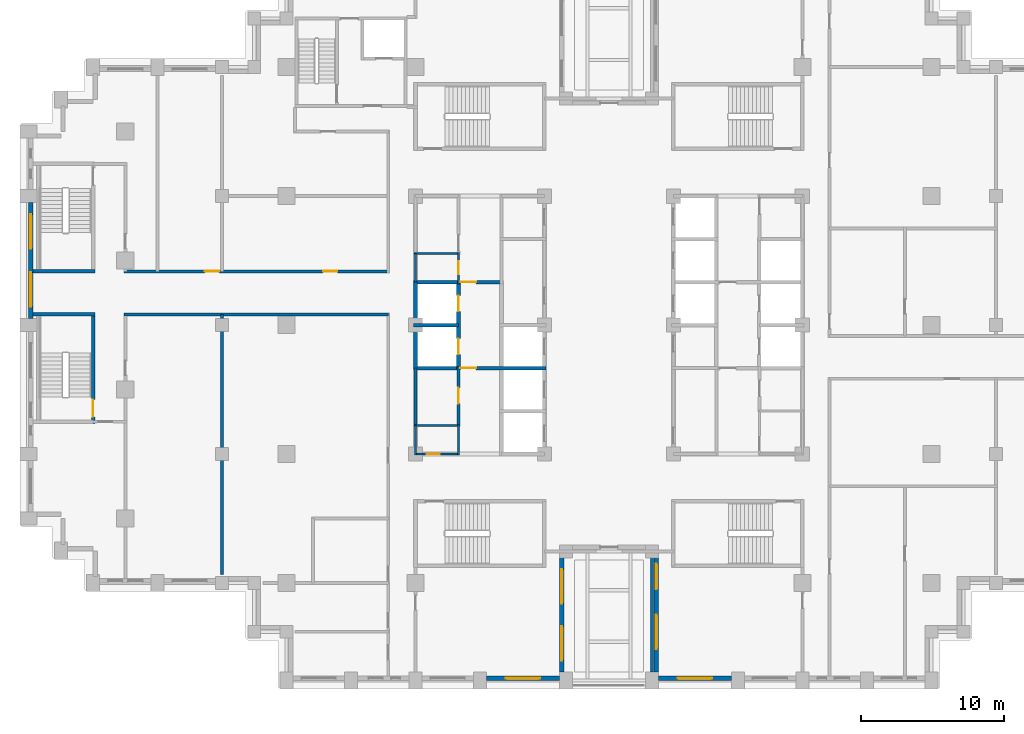
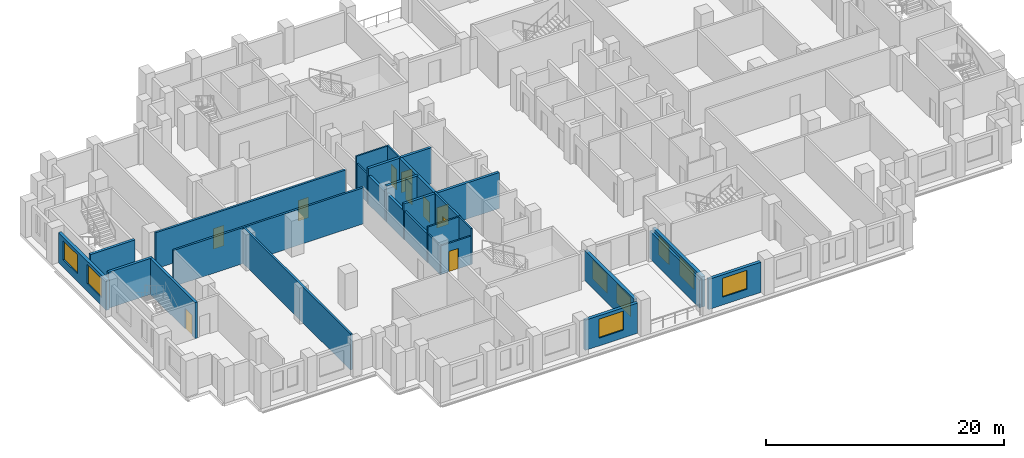
# One storey, part 4 of 13: 26 walls, 10 doors, 8 windows, 18 openings.
"""IFC4 building model written with IfcOpenShell, lengths in metres."""

import ifcopenshell
import ifcopenshell.guid

model = None  # the IFC model being written
_history = None  # IfcOwnerHistory: only IFC2X3 demands one
_inside = {}  # id of a spatial element -> (the spatial element, [elements in it])
_under = {}  # id of a project, library or spatial element -> (it, [spatial elements below it])
_declared = {}  # id of a project -> (the project, [libraries it declares])
_typed = {}  # id of a type object -> (the type object, [elements of that type])
_made_of = {}  # id of a material, layer set ... -> (it, [elements and type objects made of it])


def new_model(schema):
    """Start an empty IFC model of exactly this schema.

    Asked for "IFC4X3", IfcOpenShell would pick the latest addendum, in which some entities
    have other attributes; the version numbers below select the first issue.
    IFC2X3 requires an IfcOwnerHistory on every rooted entity: one is made here for all.
    """
    global model, _history
    if schema == "IFC4X3":
        model = ifcopenshell.file(schema_version=(4, 3, 0, 0))
    else:
        model = ifcopenshell.file(schema=schema)
    _inside.clear()
    _under.clear()
    _declared.clear()
    _typed.clear()
    _made_of.clear()
    _history = None
    if model.schema == "IFC2X3":
        org = make("IfcOrganization", Name="unknown")
        user = make(
            "IfcPersonAndOrganization",
            ThePerson=make("IfcPerson", FamilyName="unknown"),
            TheOrganization=org,
        )
        app = make(
            "IfcApplication",
            ApplicationDeveloper=org,
            Version="unknown",
            ApplicationFullName="unknown",
            ApplicationIdentifier="unknown",
        )
        _history = make(
            "IfcOwnerHistory",
            OwningUser=user,
            OwningApplication=app,
            ChangeAction="ADDED",
            CreationDate=0,
        )
    return model


def make(cls, **values):
    """One entity of the class cls with the attributes given. An attribute that is None is left unset."""
    return model.create_entity(
        cls, **{name: value for name, value in values.items() if value is not None}
    )


def rooted(cls, **values):
    """An entity with a GlobalId (a new one), such as an element, a storey or a relation."""
    return make(cls, GlobalId=ifcopenshell.guid.new(), OwnerHistory=_history, **values)


def si_unit(unit_type, name, prefix=None):
    """IfcSIUnit, for example si_unit("LENGTHUNIT", "METRE", prefix="MILLI")."""
    return make("IfcSIUnit", UnitType=unit_type, Prefix=prefix, Name=name)


def assignment(units):
    """IfcUnitAssignment: the units of a project."""
    return None if units is None else make("IfcUnitAssignment", Units=units)


def point(xyz):
    """IfcCartesianPoint."""
    return None if xyz is None else make("IfcCartesianPoint", Coordinates=xyz)


def direction(xyz):
    """IfcDirection."""
    return None if xyz is None else make("IfcDirection", DirectionRatios=xyz)


def frame(location, z_axis=None, x_axis=None):
    """IfcAxis2Placement3D, a coordinate frame: its origin and axes. An axis left out is left unset."""
    return make(
        "IfcAxis2Placement3D",
        Location=point(location),
        Axis=direction(z_axis),
        RefDirection=direction(x_axis),
    )


def frame_2d(location, x_axis=None):
    """IfcAxis2Placement2D, a coordinate frame in the plane: its origin and x axis."""
    return make(
        "IfcAxis2Placement2D", Location=point(location), RefDirection=direction(x_axis)
    )


def origin():
    """The frame at (0, 0, 0) with its axes left unset."""
    return frame((0.0, 0.0, 0.0))


def place(relative_to, where):
    """IfcLocalPlacement: puts the frame where relative to a parent placement (None: the world)."""
    return make(
        "IfcLocalPlacement", PlacementRelTo=relative_to, RelativePlacement=where
    )


def context(
    kind, dimensions, precision=None, world=None, true_north=None, identifier=None
):
    """IfcGeometricRepresentationContext, for example the 3D "Model" context."""
    return make(
        "IfcGeometricRepresentationContext",
        ContextIdentifier=identifier,
        ContextType=kind,
        CoordinateSpaceDimension=dimensions,
        Precision=precision,
        WorldCoordinateSystem=world,
        TrueNorth=true_north,
    )


def subcontext(parent, identifier, kind, view, scale=None):
    """IfcGeometricRepresentationSubContext, for example "Body" below "Model"."""
    return make(
        "IfcGeometricRepresentationSubContext",
        ContextIdentifier=identifier,
        ContextType=kind,
        ParentContext=parent,
        TargetScale=scale,
        TargetView=view,
    )


def project(units=None, contexts=None):
    """IfcProject with its units and contexts."""
    return rooted(
        "IfcProject",
        Name="project",
        RepresentationContexts=contexts,
        UnitsInContext=assignment(units),
    )


def spatial(cls, under=None, at=None, **own):
    """A site, building, storey or space (cls), placed at a placement, below another one or the project."""
    s = rooted(cls, ObjectPlacement=at, **own)
    if under is not None:
        _under.setdefault(under.id(), (under, []))[1].append(s)
    return s


def profile(cls, at=None, kind="AREA", **sizes):
    """A parametric profile (cls). Its sizes go by their IFC names, for example OverallWidth=200.0."""
    return make(cls, ProfileType=kind, Position=at, **sizes)


def rectangle(**sizes):
    """IfcRectangleProfileDef."""
    return profile("IfcRectangleProfileDef", **sizes)


def extrude(swept, where, along, depth):
    """IfcExtrudedAreaSolid: the profile swept, set in the frame where, extruded along a direction by depth."""
    return make(
        "IfcExtrudedAreaSolid",
        SweptArea=swept,
        Position=where,
        ExtrudedDirection=direction(along),
        Depth=depth,
    )


def shape(context_of_items, identifier, shape_type, items):
    """IfcShapeRepresentation: the items that make up one representation, for example the "Body"."""
    return make(
        "IfcShapeRepresentation",
        ContextOfItems=context_of_items,
        RepresentationIdentifier=identifier,
        RepresentationType=shape_type,
        Items=items,
    )


def material(Name=None, Category=None):
    """IfcMaterial."""
    return make("IfcMaterial", Name=Name, Category=Category)


def layer(
    of_material, thickness, ventilated=None, Name=None, Category=None, Priority=None
):
    """IfcMaterialLayer: one layer of a wall or slab, of a material (None: an air gap)."""
    return make(
        "IfcMaterialLayer",
        Material=of_material,
        LayerThickness=thickness,
        IsVentilated=ventilated,
        Name=Name,
        Category=Category,
        Priority=Priority,
    )


def layer_set(layers, Name=None):
    """IfcMaterialLayerSet."""
    return make("IfcMaterialLayerSet", MaterialLayers=layers, LayerSetName=Name)


def made_of(thing, what):
    """Note that an element or type object is made of a material, layer set ...; save() writes the relation."""
    if what is not None:
        _made_of.setdefault(what.id(), (what, []))[1].append(thing)
    return thing


def type_object(cls, material=None, **own):
    """A type object (cls), such as IfcWallType, which elements share."""
    return made_of(rooted(cls, **own), material)


def element(
    cls,
    number,
    at=None,
    inside=None,
    cuts=None,
    type_object=None,
    material=None,
    context=None,
    identifier="Body",
    shape_type=None,
    held_by="IfcProductDefinitionShape",
    body=None,
    shapes=None,
    **own,
):
    """One element of the class cls, such as IfcWall. Its Tag is "e" and its number.

    at: its placement. inside: the storey or other place that contains it. cuts: it is an
    opening in that element (IfcRelVoidsElement). A single representation is given by context,
    identifier, shape_type and body (its items); several are given by shapes. held_by: the class
    of the entity that holds the representations. save() writes the other relations.
    """
    e = rooted(cls, Tag="e%d" % number, ObjectPlacement=at, **own)
    if body is not None:
        shapes = [shape(context, identifier, shape_type, body)]
    if shapes is not None:
        e.Representation = make(held_by, Representations=shapes)
    if inside is not None:
        _inside.setdefault(inside.id(), (inside, []))[1].append(e)
    if cuts is not None:
        rooted(
            "IfcRelVoidsElement", RelatingBuildingElement=cuts, RelatedOpeningElement=e
        )
    if type_object is not None:
        _typed.setdefault(type_object.id(), (type_object, []))[1].append(e)
    return made_of(e, material)


def fill(opening, filler):
    """IfcRelFillsElement: the door or window that sits in an opening."""
    return rooted(
        "IfcRelFillsElement",
        RelatingOpeningElement=opening,
        RelatedBuildingElement=filler,
    )


def aggregate(whole, parts):
    """IfcRelAggregates: a whole, such as a stair, and the parts it consists of."""
    return rooted("IfcRelAggregates", RelatingObject=whole, RelatedObjects=parts)


def save(model, path):
    """Write the relations noted so far, then the file.

    IfcRelAggregates (storeys below a building ...), IfcRelContainedInSpatialStructure (elements
    in a storey), IfcRelDefinesByType, IfcRelAssociatesMaterial and IfcRelDeclares: one each for
    every whole, place, type object, material and project.
    """
    for whole, parts in _under.values():
        aggregate(whole, parts)
    for where, things in _inside.values():
        rooted(
            "IfcRelContainedInSpatialStructure",
            RelatedElements=things,
            RelatingStructure=where,
        )
    for kind, things in _typed.values():
        rooted("IfcRelDefinesByType", RelatedObjects=things, RelatingType=kind)
    for what, things in _made_of.values():
        rooted("IfcRelAssociatesMaterial", RelatedObjects=things, RelatingMaterial=what)
    for by, libraries in _declared.values():
        rooted("IfcRelDeclares", RelatingContext=by, RelatedDefinitions=libraries)
    model.write(path)


model = new_model("IFC4")

# Units and contexts
model_context = context("Model", 3, precision=1e-05, world=origin(), true_north=direction((0.0, 1.0)))
body_context = subcontext(model_context, "Body", "Model", "MODEL_VIEW")
ifc_project = project(units=[si_unit("LENGTHUNIT", "METRE"), si_unit("AREAUNIT", "SQUARE_METRE"), si_unit("VOLUMEUNIT", "CUBIC_METRE"), si_unit("PLANEANGLEUNIT", "RADIAN"), si_unit("MASSUNIT", "GRAM", prefix="KILO")], contexts=[model_context])

# Site, building, storey
site_placement = place(None, origin())
site = spatial("IfcSite", under=ifc_project, at=site_placement, CompositionType="ELEMENT")
building_placement = place(site_placement, origin())
building = spatial("IfcBuilding", under=site, at=building_placement, Name="Corbelhall Arena Tower", CompositionType="ELEMENT")
storey_placement = place(building_placement, frame((0.0, 0.0, 68.0)))
storey = spatial("IfcBuildingStorey", under=building, at=storey_placement, Name="L09", CompositionType="ELEMENT", Elevation=68.0)

# Wall, openings, windows
ifc_material_1 = material(Name="Precast concrete C40/50 with granite facing", Category="masonry")
ifc_layer_1 = layer(ifc_material_1, 0.300048828125)
ifc_layer_set_1 = layer_set([ifc_layer_1], Name="EV-IW1 Infill panel 300")
wall_type_1 = type_object("IfcWallType", Name="EV-IW1 Infill panel 300", PredefinedType="SOLIDWALL", material=ifc_layer_set_1)
wall_1_placement = place(storey_placement, frame((-40.35009765625, 8.550048828125, 0.0), z_axis=(0.0, 0.0, 1.0), x_axis=(0.0, -1.0, 0.0)))
wall_1 = element("IfcWall", 1, at=wall_1_placement, inside=storey, type_object=wall_type_1, Name="Infill panel IW1", PredefinedType="SOLIDWALL", context=body_context, shape_type="SweptSolid", body=[
    extrude(rectangle(XDim=8.10009765625, YDim=0.300048828125, at=frame_2d((4.050048828125, 0.0))), origin(), (0.0, 0.0, 1.0), 3.10009765625),
])
opening_1_placement = place(wall_1_placement, frame((0.824951171875, 0.0, 0.800048828125)))
opening_1 = element("IfcOpeningElement", 2, at=opening_1_placement, cuts=wall_1, Name="Opening WN1", PredefinedType="OPENING", context=body_context, shape_type="SweptSolid", body=[
    extrude(rectangle(XDim=2.39990234375, YDim=1.949951171875, at=frame_2d((1.199951171875, 0.97509765625))), frame((0.0, 0.14990234375, 0.0), z_axis=(0.0, -1.0, 0.0), x_axis=(1.0, 0.0, 0.0)), (0.0, 0.0, 1.0), 0.300048828125),
])
opening_2_placement = place(wall_1_placement, frame((4.875, 0.0, 0.800048828125)))
opening_2 = element("IfcOpeningElement", 3, at=opening_2_placement, cuts=wall_1, Name="Opening WN1", PredefinedType="OPENING", context=body_context, shape_type="SweptSolid", body=[
    extrude(rectangle(XDim=2.39990234375, YDim=1.949951171875, at=frame_2d((1.199951171875, 0.97509765625))), frame((0.0, 0.14990234375, 0.0), z_axis=(0.0, -1.0, 0.0), x_axis=(1.0, 0.0, 0.0)), (0.0, 0.0, 1.0), 0.300048828125),
])
ifc_material_2 = material(Name="Aluminium black anodised", Category="aluminium")
window_type_1 = type_object("IfcWindowType", Name="EV-WN1 Office window", PartitioningType="SINGLE_PANEL", PredefinedType="WINDOW", material=ifc_material_2)
window_1_placement = place(opening_1_placement, origin())
window_1 = element("IfcWindow", 4, at=window_1_placement, inside=storey, type_object=window_type_1, Name="Window WN1", OverallHeight=1.949951171875, OverallWidth=2.39990234375, PartitioningType="SINGLE_PANEL", PredefinedType="WINDOW", context=body_context, shape_type="SweptSolid", body=[
    extrude(rectangle(XDim=2.39990234375, YDim=1.949951171875, at=frame_2d((1.199951171875, 0.97509765625))), frame((0.0, 0.030029296875, 0.0), z_axis=(0.0, -1.0, 0.0), x_axis=(1.0, 0.0, 0.0)), (0.0, 0.0, 1.0), 0.06005859375),
])
fill(opening_1, window_1)
window_2_placement = place(opening_2_placement, origin())
window_2 = element("IfcWindow", 5, at=window_2_placement, inside=storey, type_object=window_type_1, Name="Window WN1", OverallHeight=1.949951171875, OverallWidth=2.39990234375, PartitioningType="SINGLE_PANEL", PredefinedType="WINDOW", context=body_context, shape_type="SweptSolid", body=[
    extrude(rectangle(XDim=2.39990234375, YDim=1.949951171875, at=frame_2d((1.199951171875, 0.97509765625))), frame((0.0, 0.030029296875, 0.0), z_axis=(0.0, -1.0, 0.0), x_axis=(1.0, 0.0, 0.0)), (0.0, 0.0, 1.0), 0.06005859375),
])
fill(opening_2, window_2)

# Wall, opening, window
wall_2_placement = place(storey_placement, frame((-8.550048828125, -24.64990234375, 0.0), z_axis=(0.0, 0.0, 1.0), x_axis=(1.0, 0.0, 0.0)))
wall_2 = element("IfcWall", 6, at=wall_2_placement, inside=storey, type_object=wall_type_1, Name="Infill panel IW1", PredefinedType="SOLIDWALL", context=body_context, shape_type="SweptSolid", body=[
    extrude(rectangle(XDim=5.10009765625, YDim=0.300048828125, at=frame_2d((2.550048828125, 0.0))), origin(), (0.0, 0.0, 1.0), 3.10009765625),
])
opening_3_placement = place(wall_2_placement, frame((1.35009765625, 0.0, 0.800048828125)))
opening_3 = element("IfcOpeningElement", 7, at=opening_3_placement, cuts=wall_2, Name="Opening WN1", PredefinedType="OPENING", context=body_context, shape_type="SweptSolid", body=[
    extrude(rectangle(XDim=2.39990234375, YDim=1.949951171875, at=frame_2d((1.199951171875, 0.97509765625))), frame((0.0, 0.14990234375, 0.0), z_axis=(0.0, -1.0, 0.0), x_axis=(1.0, 0.0, 0.0)), (0.0, 0.0, 1.0), 0.300048828125),
])
window_3_placement = place(opening_3_placement, origin())
window_3 = element("IfcWindow", 8, at=window_3_placement, inside=storey, type_object=window_type_1, Name="Window WN1", OverallHeight=1.949951171875, OverallWidth=2.39990234375, PartitioningType="SINGLE_PANEL", PredefinedType="WINDOW", context=body_context, shape_type="SweptSolid", body=[
    extrude(rectangle(XDim=2.39990234375, YDim=1.949951171875, at=frame_2d((1.199951171875, 0.97509765625))), frame((0.0, 0.030029296875, 0.0), z_axis=(0.0, -1.0, 0.0), x_axis=(1.0, 0.0, 0.0)), (0.0, 0.0, 1.0), 0.06005859375),
])
fill(opening_3, window_3)

# Wall, openings, windows
wall_3_placement = place(storey_placement, frame((-3.300048828125, -24.199951171875, 0.0), z_axis=(0.0, 0.0, 1.0), x_axis=(0.0, 1.0, 0.0)))
wall_3 = element("IfcWall", 9, at=wall_3_placement, inside=storey, type_object=wall_type_1, Name="Infill panel IW1", PredefinedType="SOLIDWALL", context=body_context, shape_type="SweptSolid", body=[
    extrude(rectangle(XDim=8.349853515625, YDim=0.300048828125, at=frame_2d((4.1748046875, 0.0))), origin(), (0.0, 0.0, 1.0), 3.10009765625),
])
opening_4_placement = place(wall_3_placement, frame((0.78759765625, 0.0, 0.800048828125)))
opening_4 = element("IfcOpeningElement", 10, at=opening_4_placement, cuts=wall_3, Name="Opening WN1", PredefinedType="OPENING", context=body_context, shape_type="SweptSolid", body=[
    extrude(rectangle(XDim=2.39990234375, YDim=1.949951171875, at=frame_2d((1.199951171875, 0.97509765625))), frame((0.0, 0.14990234375, 0.0), z_axis=(0.0, -1.0, 0.0), x_axis=(1.0, 0.0, 0.0)), (0.0, 0.0, 1.0), 0.300048828125),
])
opening_5_placement = place(wall_3_placement, frame((4.762451171875, 0.0, 0.800048828125)))
opening_5 = element("IfcOpeningElement", 11, at=opening_5_placement, cuts=wall_3, Name="Opening WN1", PredefinedType="OPENING", context=body_context, shape_type="SweptSolid", body=[
    extrude(rectangle(XDim=2.39990234375, YDim=1.949951171875, at=frame_2d((1.199951171875, 0.97509765625))), frame((0.0, 0.14990234375, 0.0), z_axis=(0.0, -1.0, 0.0), x_axis=(1.0, 0.0, 0.0)), (0.0, 0.0, 1.0), 0.300048828125),
])
window_4_placement = place(opening_4_placement, origin())
window_4 = element("IfcWindow", 12, at=window_4_placement, inside=storey, type_object=window_type_1, Name="Window WN1", OverallHeight=1.949951171875, OverallWidth=2.39990234375, PartitioningType="SINGLE_PANEL", PredefinedType="WINDOW", context=body_context, shape_type="SweptSolid", body=[
    extrude(rectangle(XDim=2.39990234375, YDim=1.949951171875, at=frame_2d((1.199951171875, 0.97509765625))), frame((0.0, 0.030029296875, 0.0), z_axis=(0.0, -1.0, 0.0), x_axis=(1.0, 0.0, 0.0)), (0.0, 0.0, 1.0), 0.06005859375),
])
fill(opening_4, window_4)
window_5_placement = place(opening_5_placement, origin())
window_5 = element("IfcWindow", 13, at=window_5_placement, inside=storey, type_object=window_type_1, Name="Window WN1", OverallHeight=1.949951171875, OverallWidth=2.39990234375, PartitioningType="SINGLE_PANEL", PredefinedType="WINDOW", context=body_context, shape_type="SweptSolid", body=[
    extrude(rectangle(XDim=2.39990234375, YDim=1.949951171875, at=frame_2d((1.199951171875, 0.97509765625))), frame((0.0, 0.030029296875, 0.0), z_axis=(0.0, -1.0, 0.0), x_axis=(1.0, 0.0, 0.0)), (0.0, 0.0, 1.0), 0.06005859375),
])
fill(opening_5, window_5)

wall_4_placement = place(storey_placement, frame((3.300048828125, -15.85009765625, 0.0), z_axis=(0.0, 0.0, 1.0), x_axis=(0.0, -1.0, 0.0)))
wall_4 = element("IfcWall", 14, at=wall_4_placement, inside=storey, type_object=wall_type_1, Name="Infill panel IW1", PredefinedType="SOLIDWALL", context=body_context, shape_type="SweptSolid", body=[
    extrude(rectangle(XDim=8.349853515625, YDim=0.300048828125, at=frame_2d((4.1748046875, 0.0))), origin(), (0.0, 0.0, 1.0), 3.10009765625),
])
opening_6_placement = place(wall_4_placement, frame((4.362548828125, 0.0, 0.800048828125)))
opening_6 = element("IfcOpeningElement", 15, at=opening_6_placement, cuts=wall_4, Name="Opening WN1", PredefinedType="OPENING", context=body_context, shape_type="SweptSolid", body=[
    extrude(rectangle(XDim=2.39990234375, YDim=1.949951171875, at=frame_2d((1.199951171875, 0.97509765625))), frame((0.0, 0.14990234375, 0.0), z_axis=(0.0, -1.0, 0.0), x_axis=(1.0, 0.0, 0.0)), (0.0, 0.0, 1.0), 0.300048828125),
])
opening_7_placement = place(wall_4_placement, frame((0.800048828125, 0.0, 0.800048828125)))
opening_7 = element("IfcOpeningElement", 16, at=opening_7_placement, cuts=wall_4, Name="Opening WN8", PredefinedType="OPENING", context=body_context, shape_type="SweptSolid", body=[
    extrude(rectangle(XDim=1.800048828125, YDim=1.949951171875, at=frame_2d((0.89990234375, 0.97509765625))), frame((0.0, 0.14990234375, 0.0), z_axis=(0.0, -1.0, 0.0), x_axis=(1.0, 0.0, 0.0)), (0.0, 0.0, 1.0), 0.300048828125),
])
window_6_placement = place(opening_6_placement, origin())
window_6 = element("IfcWindow", 17, at=window_6_placement, inside=storey, type_object=window_type_1, Name="Window WN1", OverallHeight=1.949951171875, OverallWidth=2.39990234375, PartitioningType="SINGLE_PANEL", PredefinedType="WINDOW", context=body_context, shape_type="SweptSolid", body=[
    extrude(rectangle(XDim=2.39990234375, YDim=1.949951171875, at=frame_2d((1.199951171875, 0.97509765625))), frame((0.0, 0.030029296875, 0.0), z_axis=(0.0, -1.0, 0.0), x_axis=(1.0, 0.0, 0.0)), (0.0, 0.0, 1.0), 0.06005859375),
])
fill(opening_6, window_6)
window_type_2 = type_object("IfcWindowType", Name="EV-WN8 Office window 1800", PartitioningType="SINGLE_PANEL", PredefinedType="WINDOW", material=ifc_material_2)
window_7_placement = place(opening_7_placement, origin())
window_7 = element("IfcWindow", 18, at=window_7_placement, inside=storey, type_object=window_type_2, Name="Window WN8", OverallHeight=1.949951171875, OverallWidth=1.800048828125, PartitioningType="SINGLE_PANEL", PredefinedType="WINDOW", context=body_context, shape_type="SweptSolid", body=[
    extrude(rectangle(XDim=1.800048828125, YDim=1.949951171875, at=frame_2d((0.89990234375, 0.97509765625))), frame((0.0, 0.030029296875, 0.0), z_axis=(0.0, -1.0, 0.0), x_axis=(1.0, 0.0, 0.0)), (0.0, 0.0, 1.0), 0.06005859375),
])
fill(opening_7, window_7)

# Wall, opening, window
wall_5_placement = place(storey_placement, frame((3.449951171875, -24.64990234375, 0.0), z_axis=(0.0, 0.0, 1.0), x_axis=(1.0, 0.0, 0.0)))
wall_5 = element("IfcWall", 19, at=wall_5_placement, inside=storey, type_object=wall_type_1, Name="Infill panel IW1", PredefinedType="SOLIDWALL", context=body_context, shape_type="SweptSolid", body=[
    extrude(rectangle(XDim=5.10009765625, YDim=0.300048828125, at=frame_2d((2.550048828125, 0.0))), origin(), (0.0, 0.0, 1.0), 3.10009765625),
])
opening_8_placement = place(wall_5_placement, frame((1.35009765625, 0.0, 0.800048828125)))
opening_8 = element("IfcOpeningElement", 20, at=opening_8_placement, cuts=wall_5, Name="Opening WN1", PredefinedType="OPENING", context=body_context, shape_type="SweptSolid", body=[
    extrude(rectangle(XDim=2.39990234375, YDim=1.949951171875, at=frame_2d((1.199951171875, 0.97509765625))), frame((0.0, 0.14990234375, 0.0), z_axis=(0.0, -1.0, 0.0), x_axis=(1.0, 0.0, 0.0)), (0.0, 0.0, 1.0), 0.300048828125),
])
window_8_placement = place(opening_8_placement, origin())
window_8 = element("IfcWindow", 21, at=window_8_placement, inside=storey, type_object=window_type_1, Name="Window WN1", OverallHeight=1.949951171875, OverallWidth=2.39990234375, PartitioningType="SINGLE_PANEL", PredefinedType="WINDOW", context=body_context, shape_type="SweptSolid", body=[
    extrude(rectangle(XDim=2.39990234375, YDim=1.949951171875, at=frame_2d((1.199951171875, 0.97509765625))), frame((0.0, 0.030029296875, 0.0), z_axis=(0.0, -1.0, 0.0), x_axis=(1.0, 0.0, 0.0)), (0.0, 0.0, 1.0), 0.06005859375),
])
fill(opening_8, window_8)

# Wall, openings, doors
ifc_material_3 = material(Name="Gypsum board on steel stud, acoustic", Category="steel")
ifc_layer_2 = layer(ifc_material_3, 0.199951171875)
ifc_layer_set_2 = layer_set([ifc_layer_2], Name="IN-W-DM200")
wall_type_2 = type_object("IfcWallType", Name="IN-W-DM200", PredefinedType="PARTITIONING", material=ifc_layer_set_2)
wall_6_placement = place(storey_placement, frame((-33.85009765625, 3.75, 0.0), z_axis=(0.0, 0.0, 1.0), x_axis=(1.0, 0.0, 0.0)))
wall_6 = element("IfcWall", 22, at=wall_6_placement, inside=storey, type_object=wall_type_2, Name="Partition 002", PredefinedType="PARTITIONING", context=body_context, shape_type="SweptSolid", body=[
    extrude(rectangle(XDim=18.4501953125, YDim=0.199951171875, at=frame_2d((9.22509765625, 0.0))), origin(), (0.0, 0.0, 1.0), 3.699951171875),
])
opening_9_placement = place(wall_6_placement, frame((13.89990234375, 0.0, 0.0)))
opening_9 = element("IfcOpeningElement", 23, at=opening_9_placement, cuts=wall_6, Name="Opening 01027", PredefinedType="OPENING", context=body_context, shape_type="SweptSolid", body=[
    extrude(rectangle(XDim=1.0, YDim=2.10009765625, at=frame_2d((0.5, 1.050048828125))), frame((0.0, 0.10009765625, 0.0), z_axis=(0.0, -1.0, 0.0), x_axis=(1.0, 0.0, 0.0)), (0.0, 0.0, 1.0), 0.199951171875),
])
opening_10_placement = place(wall_6_placement, frame((5.64990234375, 0.0, 0.0)))
opening_10 = element("IfcOpeningElement", 24, at=opening_10_placement, cuts=wall_6, Name="Opening 01041", PredefinedType="OPENING", context=body_context, shape_type="SweptSolid", body=[
    extrude(rectangle(XDim=1.0, YDim=2.10009765625, at=frame_2d((0.5, 1.050048828125))), frame((0.0, 0.10009765625, 0.0), z_axis=(0.0, -1.0, 0.0), x_axis=(1.0, 0.0, 0.0)), (0.0, 0.0, 1.0), 0.199951171875),
])
ifc_material_4 = material(Name="Steel door set", Category="steel")
door_type_1 = type_object("IfcDoorType", Name="IN-D-SW100", OperationType="NOTDEFINED", PredefinedType="DOOR", material=ifc_material_4)
door_1_placement = place(opening_9_placement, origin())
door_1 = element("IfcDoor", 25, at=door_1_placement, inside=storey, type_object=door_type_1, Name="Door 027", OperationType="SINGLE_SWING_RIGHT", OverallHeight=2.10009765625, OverallWidth=1.0, PredefinedType="DOOR", context=body_context, shape_type="SweptSolid", body=[
    extrude(rectangle(XDim=1.0, YDim=2.10009765625, at=frame_2d((0.5, 1.050048828125))), frame((0.0, 0.02490234375, 0.0), z_axis=(0.0, -1.0, 0.0), x_axis=(1.0, 0.0, 0.0)), (0.0, 0.0, 1.0), 0.050048828125),
])
fill(opening_9, door_1)
door_2_placement = place(opening_10_placement, origin())
door_2 = element("IfcDoor", 26, at=door_2_placement, inside=storey, type_object=door_type_1, Name="Door 041", OperationType="SINGLE_SWING_RIGHT", OverallHeight=2.10009765625, OverallWidth=1.0, PredefinedType="DOOR", context=body_context, shape_type="SweptSolid", body=[
    extrude(rectangle(XDim=1.0, YDim=2.10009765625, at=frame_2d((0.5, 1.050048828125))), frame((0.0, 0.02490234375, 0.0), z_axis=(0.0, -1.0, 0.0), x_axis=(1.0, 0.0, 0.0)), (0.0, 0.0, 1.0), 0.050048828125),
])
fill(opening_10, door_2)

# Walls
wall_7_placement = place(storey_placement, frame((-27.0, -17.39990234375, 0.0), z_axis=(0.0, 0.0, 1.0), x_axis=(0.0, 1.0, 0.0)))
element("IfcWall", 27, at=wall_7_placement, inside=storey, type_object=wall_type_2, Name="Partition 008", PredefinedType="PARTITIONING", context=body_context, shape_type="SweptSolid", body=[
    extrude(rectangle(XDim=18.14990234375, YDim=0.199951171875, at=frame_2d((9.074951171875, 0.0))), origin(), (0.0, 0.0, 1.0), 3.699951171875),
])
wall_8_placement = place(storey_placement, frame((-15.39990234375, 0.75, 0.0), z_axis=(0.0, 0.0, 1.0), x_axis=(-1.0, 0.0, 0.0)))
element("IfcWall", 28, at=wall_8_placement, inside=storey, type_object=wall_type_2, Name="Partition 010", PredefinedType="PARTITIONING", context=body_context, shape_type="SweptSolid", body=[
    extrude(rectangle(XDim=18.4501953125, YDim=0.199951171875, at=frame_2d((9.22509765625, 0.0))), origin(), (0.0, 0.0, 1.0), 3.699951171875),
])
ifc_layer_3 = layer(ifc_material_3, 0.199951171875)
ifc_layer_set_3 = layer_set([ifc_layer_3], Name="IN-W-DM200 under beam 846 mm")
wall_type_3 = type_object("IfcWallType", Name="IN-W-DM200 under beam 846 mm", PredefinedType="PARTITIONING", material=ifc_layer_set_3)
wall_9_placement = place(storey_placement, frame((3.0, -15.800048828125, 0.0), z_axis=(0.0, 0.0, 1.0), x_axis=(0.0, -1.0, 0.0)))
element("IfcWall", 29, at=wall_9_placement, inside=storey, type_object=wall_type_3, Name="Partition 026", PredefinedType="PARTITIONING", context=body_context, shape_type="SweptSolid", body=[
    extrude(rectangle(XDim=8.39990234375, YDim=0.199951171875, at=frame_2d((4.199951171875, 0.0))), origin(), (0.0, 0.0, 1.0), 2.854248046875),
])

# Wall, opening, door
ifc_material_5 = material(Name="Concrete block wall", Category="concrete")
ifc_layer_4 = layer(ifc_material_5, 0.199951171875)
ifc_layer_set_4 = layer_set([ifc_layer_4], Name="IN-W-RS200")
wall_type_4 = type_object("IfcWallType", Name="IN-W-RS200", PredefinedType="SOLIDWALL", material=ifc_layer_set_4)
wall_10_placement = place(storey_placement, frame((-10.5, -7.074951171875, 0.0), z_axis=(0.0, 0.0, 1.0), x_axis=(0.0, 1.0, 0.0)))
wall_10 = element("IfcWall", 30, at=wall_10_placement, inside=storey, type_object=wall_type_4, Name="Partition 049", PredefinedType="SOLIDWALL", context=body_context, shape_type="SweptSolid", body=[
    extrude(rectangle(XDim=4.199951171875, YDim=0.199951171875, at=frame_2d((2.10009765625, 0.0))), origin(), (0.0, 0.0, 1.0), 3.699951171875),
])
opening_11_placement = place(wall_10_placement, frame((1.60009765625, 0.0, 0.0)))
opening_11 = element("IfcOpeningElement", 31, at=opening_11_placement, cuts=wall_10, Name="Opening 01006", PredefinedType="OPENING", context=body_context, shape_type="SweptSolid", body=[
    extrude(rectangle(XDim=1.10009765625, YDim=2.10009765625, at=frame_2d((0.550048828125, 1.050048828125))), frame((0.0, 0.10009765625, 0.0), z_axis=(0.0, -1.0, 0.0), x_axis=(1.0, 0.0, 0.0)), (0.0, 0.0, 1.0), 0.199951171875),
])
door_type_2 = type_object("IfcDoorType", Name="IN-D-FD110", OperationType="NOTDEFINED", PredefinedType="DOOR", material=ifc_material_4)
door_3_placement = place(opening_11_placement, origin())
door_3 = element("IfcDoor", 32, at=door_3_placement, inside=storey, type_object=door_type_2, Name="Door 006", OperationType="SINGLE_SWING_LEFT", OverallHeight=2.10009765625, OverallWidth=1.10009765625, PredefinedType="DOOR", context=body_context, shape_type="SweptSolid", body=[
    extrude(rectangle(XDim=1.10009765625, YDim=2.10009765625, at=frame_2d((0.550048828125, 1.050048828125))), frame((0.0, 0.02490234375, 0.0), z_axis=(0.0, -1.0, 0.0), x_axis=(1.0, 0.0, 0.0)), (0.0, 0.0, 1.0), 0.050048828125),
])
fill(opening_11, door_3)

# Walls
ifc_layer_5 = layer(ifc_material_5, 0.199951171875)
ifc_layer_set_5 = layer_set([ifc_layer_5], Name="IN-W-RS200 under beam 762 mm")
wall_type_5 = type_object("IfcWallType", Name="IN-W-RS200 under beam 762 mm", PredefinedType="SOLIDWALL", material=ifc_layer_set_5)
wall_11_placement = place(storey_placement, frame((-13.5, -7.0, 0.0), z_axis=(0.0, 0.0, 1.0), x_axis=(0.0, 1.0, 0.0)))
element("IfcWall", 33, at=wall_11_placement, inside=storey, type_object=wall_type_5, Name="Partition 046", PredefinedType="SOLIDWALL", context=body_context, shape_type="SweptSolid", body=[
    extrude(rectangle(XDim=4.0, YDim=0.199951171875, at=frame_2d((2.0, 0.0))), origin(), (0.0, 0.0, 1.0), 2.93798828125),
])
ifc_material_6 = material(Name="Concrete C40/50", Category="concrete")
ifc_layer_6 = layer(ifc_material_6, 0.25)
ifc_layer_set_6 = layer_set([ifc_layer_6], Name="IN-W-SH250")
wall_type_6 = type_object("IfcWallType", Name="IN-W-SH250", PredefinedType="SOLIDWALL", material=ifc_layer_set_6)
wall_12_placement = place(storey_placement, frame((-13.625, 0.0, 0.0), z_axis=(0.0, 0.0, 1.0), x_axis=(1.0, 0.0, 0.0)))
element("IfcWall", 34, at=wall_12_placement, inside=storey, type_object=wall_type_6, Name="Shaft wall 064", PredefinedType="SOLIDWALL", context=body_context, shape_type="SweptSolid", body=[
    extrude(rectangle(XDim=3.125, YDim=0.25, at=frame_2d((1.5625, 0.0))), origin(), (0.0, 0.0, 1.0), 3.699951171875),
])

# Wall, opening, door
wall_13_placement = place(storey_placement, frame((-13.625, 3.0, 0.0), z_axis=(0.0, 0.0, 1.0), x_axis=(1.0, 0.0, 0.0)))
wall_13 = element("IfcWall", 35, at=wall_13_placement, inside=storey, type_object=wall_type_6, Name="Shaft wall 065", PredefinedType="SOLIDWALL", context=body_context, shape_type="SweptSolid", body=[
    extrude(rectangle(XDim=6.125, YDim=0.25, at=frame_2d((3.0625, 0.0))), origin(), (0.0, 0.0, 1.0), 3.699951171875),
])
opening_12_placement = place(wall_13_placement, frame((3.25, 0.0, 0.0)))
opening_12 = element("IfcOpeningElement", 36, at=opening_12_placement, cuts=wall_13, Name="Opening 01004", PredefinedType="OPENING", context=body_context, shape_type="SweptSolid", body=[
    extrude(rectangle(XDim=1.10009765625, YDim=2.10009765625, at=frame_2d((0.550048828125, 1.050048828125))), frame((0.0, 0.125, 0.0), z_axis=(0.0, -1.0, 0.0), x_axis=(1.0, 0.0, 0.0)), (0.0, 0.0, 1.0), 0.25),
])
door_4_placement = place(opening_12_placement, origin())
door_4 = element("IfcDoor", 37, at=door_4_placement, inside=storey, type_object=door_type_2, Name="Door 004", OperationType="SINGLE_SWING_LEFT", OverallHeight=2.10009765625, OverallWidth=1.10009765625, PredefinedType="DOOR", context=body_context, shape_type="SweptSolid", body=[
    extrude(rectangle(XDim=1.10009765625, YDim=2.10009765625, at=frame_2d((0.550048828125, 1.050048828125))), frame((0.0, 0.02490234375, 0.0), z_axis=(0.0, -1.0, 0.0), x_axis=(1.0, 0.0, 0.0)), (0.0, 0.0, 1.0), 0.050048828125),
])
fill(opening_12, door_4)

wall_14_placement = place(storey_placement, frame((-13.625, -3.0, 0.0), z_axis=(0.0, 0.0, 1.0), x_axis=(1.0, 0.0, 0.0)))
wall_14 = element("IfcWall", 38, at=wall_14_placement, inside=storey, type_object=wall_type_6, Name="Shaft wall 067", PredefinedType="SOLIDWALL", context=body_context, shape_type="SweptSolid", body=[
    extrude(rectangle(XDim=9.25, YDim=0.25, at=frame_2d((4.625, 0.0))), origin(), (0.0, 0.0, 1.0), 3.699951171875),
])
opening_13_placement = place(wall_14_placement, frame((3.25, 0.0, 0.0)))
opening_13 = element("IfcOpeningElement", 39, at=opening_13_placement, cuts=wall_14, Name="Opening 01003", PredefinedType="OPENING", context=body_context, shape_type="SweptSolid", body=[
    extrude(rectangle(XDim=1.10009765625, YDim=2.10009765625, at=frame_2d((0.550048828125, 1.050048828125))), frame((0.0, 0.125, 0.0), z_axis=(0.0, -1.0, 0.0), x_axis=(1.0, 0.0, 0.0)), (0.0, 0.0, 1.0), 0.25),
])
door_5_placement = place(opening_13_placement, origin())
door_5 = element("IfcDoor", 40, at=door_5_placement, inside=storey, type_object=door_type_2, Name="Door 003", OperationType="SINGLE_SWING_RIGHT", OverallHeight=2.10009765625, OverallWidth=1.10009765625, PredefinedType="DOOR", context=body_context, shape_type="SweptSolid", body=[
    extrude(rectangle(XDim=1.10009765625, YDim=2.10009765625, at=frame_2d((0.550048828125, 1.050048828125))), frame((0.0, 0.02490234375, 0.0), z_axis=(0.0, -1.0, 0.0), x_axis=(1.0, 0.0, 0.0)), (0.0, 0.0, 1.0), 0.050048828125),
])
fill(opening_13, door_5)

# Wall, openings, doors
wall_15_placement = place(storey_placement, frame((-10.5, -3.125, 0.0), z_axis=(0.0, 0.0, 1.0), x_axis=(0.0, 1.0, 0.0)))
wall_15 = element("IfcWall", 41, at=wall_15_placement, inside=storey, type_object=wall_type_6, Name="Shaft wall 068", PredefinedType="SOLIDWALL", context=body_context, shape_type="SweptSolid", body=[
    extrude(rectangle(XDim=6.25, YDim=0.25, at=frame_2d((3.125, 0.0))), origin(), (0.0, 0.0, 1.0), 3.699951171875),
])
opening_14_placement = place(wall_15_placement, frame((1.074951171875, 0.0, 0.0)))
opening_14 = element("IfcOpeningElement", 42, at=opening_14_placement, cuts=wall_15, Name="Opening LD", PredefinedType="OPENING", context=body_context, shape_type="SweptSolid", body=[
    extrude(rectangle(XDim=1.10009765625, YDim=2.10009765625, at=frame_2d((0.550048828125, 1.050048828125))), frame((0.0, 0.125, 0.0), z_axis=(0.0, -1.0, 0.0), x_axis=(1.0, 0.0, 0.0)), (0.0, 0.0, 1.0), 0.25),
])
opening_15_placement = place(wall_15_placement, frame((4.074951171875, 0.0, 0.0)))
opening_15 = element("IfcOpeningElement", 43, at=opening_15_placement, cuts=wall_15, Name="Opening LD", PredefinedType="OPENING", context=body_context, shape_type="SweptSolid", body=[
    extrude(rectangle(XDim=1.10009765625, YDim=2.10009765625, at=frame_2d((0.550048828125, 1.050048828125))), frame((0.0, 0.125, 0.0), z_axis=(0.0, -1.0, 0.0), x_axis=(1.0, 0.0, 0.0)), (0.0, 0.0, 1.0), 0.25),
])
door_type_3 = type_object("IfcDoorType", Name="IN-D-LD110", OperationType="NOTDEFINED", PredefinedType="DOOR", material=ifc_material_4)
door_6_placement = place(opening_14_placement, origin())
door_6 = element("IfcDoor", 44, at=door_6_placement, inside=storey, type_object=door_type_3, Name="Landing door W3", OperationType="SLIDING_TO_LEFT", OverallHeight=2.10009765625, OverallWidth=1.10009765625, PredefinedType="DOOR", context=body_context, shape_type="SweptSolid", body=[
    extrude(rectangle(XDim=1.10009765625, YDim=2.10009765625, at=frame_2d((0.550048828125, 1.050048828125))), frame((0.0, 0.02490234375, 0.0), z_axis=(0.0, -1.0, 0.0), x_axis=(1.0, 0.0, 0.0)), (0.0, 0.0, 1.0), 0.050048828125),
])
fill(opening_14, door_6)
door_7_placement = place(opening_15_placement, origin())
door_7 = element("IfcDoor", 45, at=door_7_placement, inside=storey, type_object=door_type_3, Name="Landing door W4", OperationType="SLIDING_TO_LEFT", OverallHeight=2.10009765625, OverallWidth=1.10009765625, PredefinedType="DOOR", context=body_context, shape_type="SweptSolid", body=[
    extrude(rectangle(XDim=1.10009765625, YDim=2.10009765625, at=frame_2d((0.550048828125, 1.050048828125))), frame((0.0, 0.02490234375, 0.0), z_axis=(0.0, -1.0, 0.0), x_axis=(1.0, 0.0, 0.0)), (0.0, 0.0, 1.0), 0.050048828125),
])
fill(opening_15, door_7)

# Walls
ifc_layer_7 = layer(ifc_material_6, 0.25)
ifc_layer_set_7 = layer_set([ifc_layer_7], Name="IN-W-SH250 under beam 762 mm")
wall_type_7 = type_object("IfcWallType", Name="IN-W-SH250 under beam 762 mm", PredefinedType="SOLIDWALL", material=ifc_layer_set_7)
wall_16_placement = place(storey_placement, frame((-13.5, -3.0, 0.0), z_axis=(0.0, 0.0, 1.0), x_axis=(0.0, 1.0, 0.0)))
element("IfcWall", 46, at=wall_16_placement, inside=storey, type_object=wall_type_7, Name="Shaft wall 066", PredefinedType="SOLIDWALL", context=body_context, shape_type="SweptSolid", body=[
    extrude(rectangle(XDim=6.0, YDim=0.25, at=frame_2d((3.0, 0.0))), origin(), (0.0, 0.0, 1.0), 2.93798828125),
])
ifc_layer_8 = layer(ifc_material_6, 0.25)
ifc_layer_set_8 = layer_set([ifc_layer_8], Name="IN-W-ST250")
wall_type_8 = type_object("IfcWallType", Name="IN-W-ST250", PredefinedType="SOLIDWALL", material=ifc_layer_set_8)
wall_17_placement = place(storey_placement, frame((-40.199951171875, 3.75, 0.0), z_axis=(0.0, 0.0, 1.0), x_axis=(1.0, 0.0, 0.0)))
element("IfcWall", 47, at=wall_17_placement, inside=storey, type_object=wall_type_8, Name="Shaft wall 085", PredefinedType="SOLIDWALL", context=body_context, shape_type="SweptSolid", body=[
    extrude(rectangle(XDim=4.324951171875, YDim=0.25, at=frame_2d((2.16259765625, 0.0))), origin(), (0.0, 0.0, 1.0), 3.699951171875),
])

# Wall, opening, door
wall_18_placement = place(storey_placement, frame((-36.0, 0.75, 0.0), z_axis=(0.0, 0.0, 1.0), x_axis=(0.0, -1.0, 0.0)))
wall_18 = element("IfcWall", 48, at=wall_18_placement, inside=storey, type_object=wall_type_8, Name="Shaft wall 088", PredefinedType="SOLIDWALL", context=body_context, shape_type="SweptSolid", body=[
    extrude(rectangle(XDim=7.625, YDim=0.25, at=frame_2d((3.8125, 0.0))), origin(), (0.0, 0.0, 1.0), 3.699951171875),
])
opening_16_placement = place(wall_18_placement, frame((5.949951171875, 0.0, 0.0)))
opening_16 = element("IfcOpeningElement", 49, at=opening_16_placement, cuts=wall_18, Name="Opening 01020", PredefinedType="OPENING", context=body_context, shape_type="SweptSolid", body=[
    extrude(rectangle(XDim=1.199951171875, YDim=2.10009765625, at=frame_2d((0.60009765625, 1.050048828125))), frame((0.0, 0.125, 0.0), z_axis=(0.0, -1.0, 0.0), x_axis=(1.0, 0.0, 0.0)), (0.0, 0.0, 1.0), 0.25),
])
door_type_4 = type_object("IfcDoorType", Name="IN-D-ST120", OperationType="NOTDEFINED", PredefinedType="DOOR", material=ifc_material_4)
door_8_placement = place(opening_16_placement, origin())
door_8 = element("IfcDoor", 50, at=door_8_placement, inside=storey, type_object=door_type_4, Name="Door 020", OperationType="SINGLE_SWING_LEFT", OverallHeight=2.10009765625, OverallWidth=1.199951171875, PredefinedType="DOOR", context=body_context, shape_type="SweptSolid", body=[
    extrude(rectangle(XDim=1.199951171875, YDim=2.10009765625, at=frame_2d((0.60009765625, 1.050048828125))), frame((0.0, 0.02490234375, 0.0), z_axis=(0.0, -1.0, 0.0), x_axis=(1.0, 0.0, 0.0)), (0.0, 0.0, 1.0), 0.050048828125),
])
fill(opening_16, door_8)

# Walls
wall_19_placement = place(storey_placement, frame((-35.875, 0.75, 0.0), z_axis=(0.0, 0.0, 1.0), x_axis=(-1.0, 0.0, 0.0)))
element("IfcWall", 51, at=wall_19_placement, inside=storey, type_object=wall_type_8, Name="Shaft wall 090", PredefinedType="SOLIDWALL", context=body_context, shape_type="SweptSolid", body=[
    extrude(rectangle(XDim=4.324951171875, YDim=0.25, at=frame_2d((2.16259765625, 0.0))), origin(), (0.0, 0.0, 1.0), 3.699951171875),
])
ifc_material_7 = material(Name="Gypsum board on steel stud, moisture resistant", Category="steel")
ifc_layer_9 = layer(ifc_material_7, 0.14990234375)
ifc_layer_set_9 = layer_set([ifc_layer_9], Name="IN-W-WC150")
wall_type_9 = type_object("IfcWallType", Name="IN-W-WC150", PredefinedType="PARTITIONING", material=ifc_layer_set_9)
for number, where, z_axis, x_axis, name in (
    (52, (-13.60009765625, -7.0, 0.0), (0.0, 0.0, 1.0), (1.0, 0.0, 0.0), "Partition 113"),
    (53, (-13.60009765625, 5.0, 0.0), (0.0, 0.0, 1.0), (1.0, 0.0, 0.0), "Partition 114"),
):
    element("IfcWall", number, at=place(storey_placement, frame(where, z_axis=z_axis, x_axis=x_axis)), inside=storey, type_object=wall_type_9, Name=name, PredefinedType="PARTITIONING", context=body_context, shape_type="SweptSolid", body=[
        extrude(rectangle(XDim=3.10009765625, YDim=0.14990234375, at=frame_2d((1.550048828125, 0.0))), origin(), (0.0, 0.0, 1.0), 3.699951171875),
    ])
wall_20_placement = place(storey_placement, frame((-10.5, -9.074951171875, 0.0), z_axis=(0.0, 0.0, 1.0), x_axis=(0.0, 1.0, 0.0)))
element("IfcWall", 54, at=wall_20_placement, inside=storey, type_object=wall_type_9, Name="Partition 117", PredefinedType="PARTITIONING", context=body_context, shape_type="SweptSolid", body=[
    extrude(rectangle(XDim=2.14990234375, YDim=0.14990234375, at=frame_2d((1.074951171875, 0.0))), origin(), (0.0, 0.0, 1.0), 3.699951171875),
])

# Wall, opening, door
wall_21_placement = place(storey_placement, frame((-10.5, 2.875, 0.0), z_axis=(0.0, 0.0, 1.0), x_axis=(0.0, 1.0, 0.0)))
wall_21 = element("IfcWall", 55, at=wall_21_placement, inside=storey, type_object=wall_type_9, Name="Partition 119", PredefinedType="PARTITIONING", context=body_context, shape_type="SweptSolid", body=[
    extrude(rectangle(XDim=2.199951171875, YDim=0.14990234375, at=frame_2d((1.10009765625, 0.0))), origin(), (0.0, 0.0, 1.0), 3.699951171875),
])
opening_17_placement = place(wall_21_placement, frame((0.669921875, 0.0, 0.0)))
opening_17 = element("IfcOpeningElement", 56, at=opening_17_placement, cuts=wall_21, Name="Opening 01047", PredefinedType="OPENING", context=body_context, shape_type="SweptSolid", body=[
    extrude(rectangle(XDim=0.89990234375, YDim=2.10009765625, at=frame_2d((0.449951171875, 1.050048828125))), frame((0.0, 0.074951171875, 0.0), z_axis=(0.0, -1.0, 0.0), x_axis=(1.0, 0.0, 0.0)), (0.0, 0.0, 1.0), 0.14990234375),
])
ifc_material_8 = material(Name="Timber door set", Category="wood")
door_type_5 = type_object("IfcDoorType", Name="IN-D-SW90", OperationType="NOTDEFINED", PredefinedType="DOOR", material=ifc_material_8)
door_9_placement = place(opening_17_placement, origin())
door_9 = element("IfcDoor", 57, at=door_9_placement, inside=storey, type_object=door_type_5, Name="Door 047", OperationType="SINGLE_SWING_LEFT", OverallHeight=2.10009765625, OverallWidth=0.89990234375, PredefinedType="DOOR", context=body_context, shape_type="SweptSolid", body=[
    extrude(rectangle(XDim=0.89990234375, YDim=2.10009765625, at=frame_2d((0.449951171875, 1.050048828125))), frame((0.0, 0.02490234375, 0.0), z_axis=(0.0, -1.0, 0.0), x_axis=(1.0, 0.0, 0.0)), (0.0, 0.0, 1.0), 0.050048828125),
])
fill(opening_17, door_9)

# Walls
ifc_layer_10 = layer(ifc_material_7, 0.14990234375)
ifc_layer_set_10 = layer_set([ifc_layer_10], Name="IN-W-WC150 under beam 762 mm")
wall_type_10 = type_object("IfcWallType", Name="IN-W-WC150 under beam 762 mm", PredefinedType="PARTITIONING", material=ifc_layer_set_10)
wall_22_placement = place(storey_placement, frame((-13.5, -9.074951171875, 0.0), z_axis=(0.0, 0.0, 1.0), x_axis=(0.0, 1.0, 0.0)))
element("IfcWall", 58, at=wall_22_placement, inside=storey, type_object=wall_type_10, Name="Partition 115", PredefinedType="PARTITIONING", context=body_context, shape_type="SweptSolid", body=[
    extrude(rectangle(XDim=2.074951171875, YDim=0.14990234375, at=frame_2d((1.03759765625, 0.0))), origin(), (0.0, 0.0, 1.0), 2.93798828125),
])
wall_23_placement = place(storey_placement, frame((-13.5, 3.0, 0.0), z_axis=(0.0, 0.0, 1.0), x_axis=(0.0, 1.0, 0.0)))
element("IfcWall", 59, at=wall_23_placement, inside=storey, type_object=wall_type_10, Name="Partition 116", PredefinedType="PARTITIONING", context=body_context, shape_type="SweptSolid", body=[
    extrude(rectangle(XDim=2.0, YDim=0.14990234375, at=frame_2d((1.0, 0.0))), origin(), (0.0, 0.0, 1.0), 2.93798828125),
])

# Wall, opening, door
wall_24_placement = place(storey_placement, frame((-10.5, -9.0, 0.0), z_axis=(0.0, 0.0, 1.0), x_axis=(-1.0, 0.0, 0.0)))
wall_24 = element("IfcWall", 60, at=wall_24_placement, inside=storey, type_object=wall_type_10, Name="Partition 118", PredefinedType="PARTITIONING", context=body_context, shape_type="SweptSolid", body=[
    extrude(rectangle(XDim=3.0, YDim=0.14990234375, at=frame_2d((1.5, 0.0))), origin(), (0.0, 0.0, 1.0), 2.93798828125),
])
opening_18_placement = place(wall_24_placement, frame((1.300048828125, 0.0, 0.0)))
opening_18 = element("IfcOpeningElement", 61, at=opening_18_placement, cuts=wall_24, Name="Opening 01005", PredefinedType="OPENING", context=body_context, shape_type="SweptSolid", body=[
    extrude(rectangle(XDim=0.89990234375, YDim=2.10009765625, at=frame_2d((0.449951171875, 1.050048828125))), frame((0.0, 0.074951171875, 0.0), z_axis=(0.0, -1.0, 0.0), x_axis=(1.0, 0.0, 0.0)), (0.0, 0.0, 1.0), 0.14990234375),
])
door_10_placement = place(opening_18_placement, origin())
door_10 = element("IfcDoor", 62, at=door_10_placement, inside=storey, type_object=door_type_5, Name="Door 005", OperationType="SINGLE_SWING_RIGHT", OverallHeight=2.10009765625, OverallWidth=0.89990234375, PredefinedType="DOOR", context=body_context, shape_type="SweptSolid", body=[
    extrude(rectangle(XDim=0.89990234375, YDim=2.10009765625, at=frame_2d((0.449951171875, 1.050048828125))), frame((0.0, 0.02490234375, 0.0), z_axis=(0.0, -1.0, 0.0), x_axis=(1.0, 0.0, 0.0)), (0.0, 0.0, 1.0), 0.050048828125),
])
fill(opening_18, door_10)

save(model, "model.ifc")
